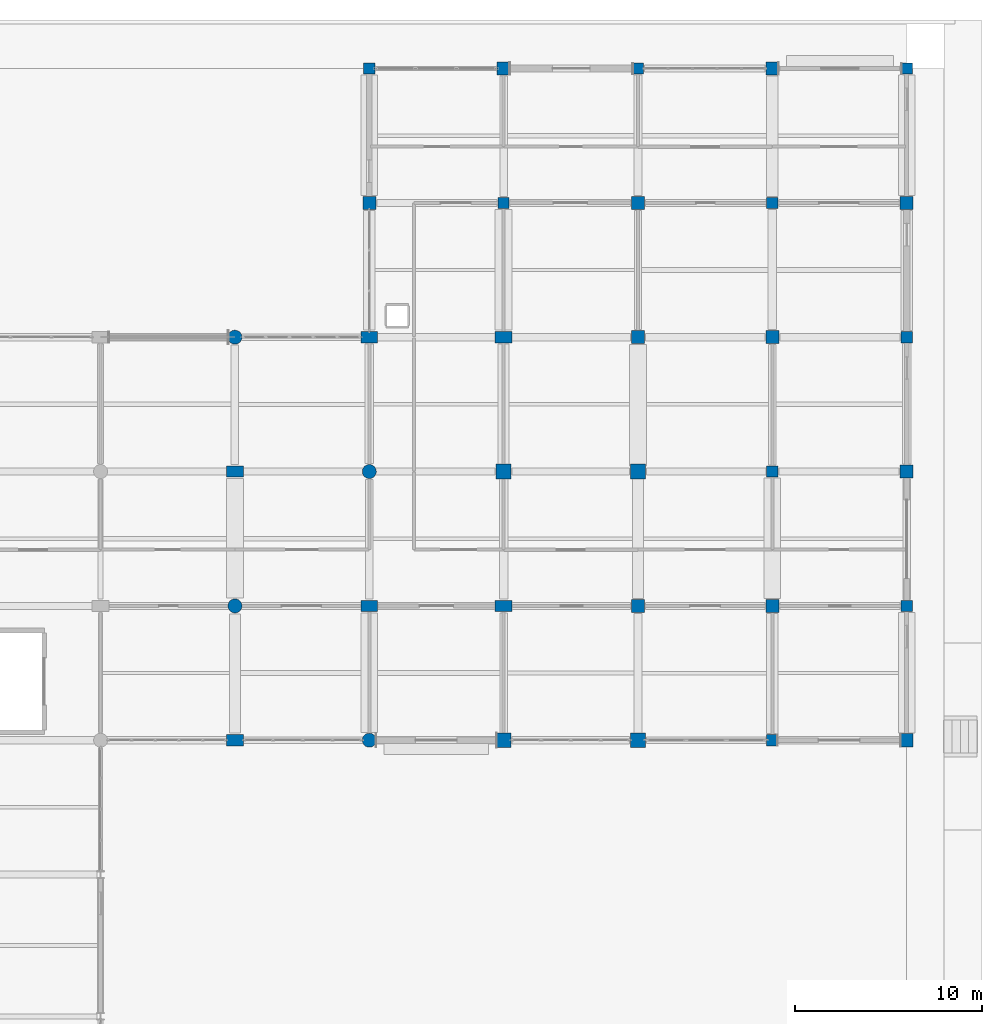
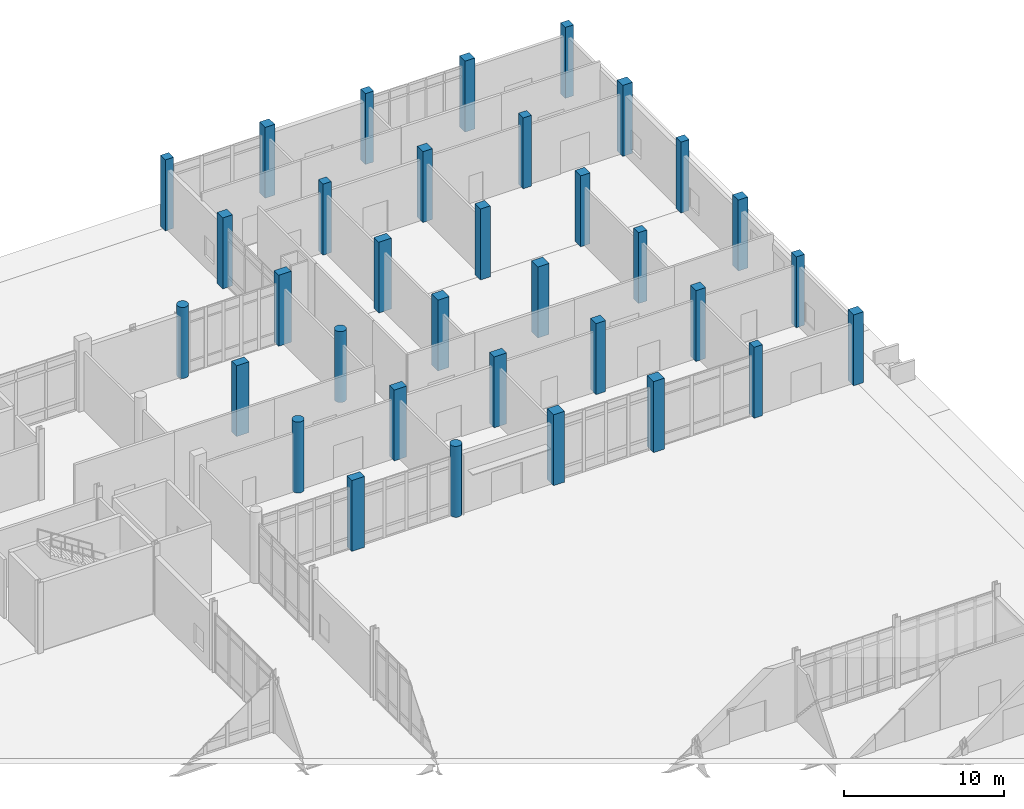
# One storey, part 22 of 229: 34 columns.
"""IFC4 building model written with IfcOpenShell, lengths in metres."""

from ifc_helpers import new_model, si_unit, direction, frame, origin, origin_2d, place, context, subcontext, project, spatial, rectangle, circle, extrude, material, material_profile, profile_set, type_object, element, save


model = new_model("IFC4")

# Units and contexts
model_context = context("Model", 3, precision=1e-05, world=origin(), true_north=direction((0.0, 1.0)))
body_context = subcontext(model_context, "Body", "Model", "MODEL_VIEW")
ifc_project = project(units=[si_unit("LENGTHUNIT", "METRE"), si_unit("AREAUNIT", "SQUARE_METRE"), si_unit("VOLUMEUNIT", "CUBIC_METRE"), si_unit("PLANEANGLEUNIT", "RADIAN"), si_unit("MASSUNIT", "GRAM", prefix="KILO")], contexts=[model_context])

# Site, building, storey
site_placement = place(None, origin())
site = spatial("IfcSite", under=ifc_project, at=site_placement, CompositionType="ELEMENT")
building_placement = place(site_placement, origin())
building = spatial("IfcBuilding", under=site, at=building_placement, Name="Calvrana Isthmian Art Gallery", CompositionType="ELEMENT")
storey_placement = place(building_placement, origin())
storey = spatial("IfcBuildingStorey", under=building, at=storey_placement, Name="L00", CompositionType="ELEMENT", Elevation=0.0)

# Columns
ifc_material = material(Name="Concrete C40/50", Category="concrete")
ifc_material_profile_1 = material_profile(ifc_material, rectangle(XDim=0.60009765625, YDim=0.60009765625, at=origin_2d()), Name="RC600X600")
ifc_profile_set_1 = profile_set([ifc_material_profile_1], Name="Concrete C40/50")
column_type_1 = type_object("IfcColumnType", Name="COL-RC-RC600X600", PredefinedType="COLUMN", material=ifc_profile_set_1)
for number, where, z_axis, x_axis, name in (
    (1, (134.39990234375, 112.800048828125, 0.0), (0.0, 0.0, 1.0), (1.0, 0.0, 0.0), "Column 18/P L00"),
    (2, (141.60009765625, 105.60009765625, 0.0), (0.0, 0.0, 1.0), (1.0, 0.0, 0.0), "Column 19/O L00"),
    (3, (148.800048828125, 112.800048828125, 0.0), (0.0, 0.0, 1.0), (1.0, 0.0, 0.0), "Column 20/P L00"),
    (4, (156.0, 76.800048828125, 0.0), (0.0, 0.0, 1.0), (1.0, 0.0, 0.0), "Column 21/K L00"),
    (5, (156.0, 91.199951171875, 0.0), (0.0, 0.0, 1.0), (1.0, 0.0, 0.0), "Column 21/M L00"),
    (6, (156.0, 105.60009765625, 0.0), (0.0, 0.0, 1.0), (1.0, 0.0, 0.0), "Column 21/O L00"),
    (7, (163.199951171875, 84.0, 0.0), (0.0, 0.0, 1.0), (1.0, 0.0, 0.0), "Column 22/L L00"),
    (8, (163.199951171875, 98.39990234375, 0.0), (0.0, 0.0, 1.0), (1.0, 0.0, 0.0), "Column 22/N L00"),
    (9, (163.199951171875, 112.800048828125, 0.0), (0.0, 0.0, 1.0), (1.0, 0.0, 0.0), "Column 22/P L00"),
):
    element("IfcColumn", number, at=place(storey_placement, frame(where, z_axis=z_axis, x_axis=x_axis)), inside=storey, type_object=column_type_1, Name=name, PredefinedType="COLUMN", context=body_context, shape_type="SweptSolid", body=[
        extrude(rectangle(XDim=0.60009765625, YDim=0.60009765625, at=origin_2d()), origin(), (0.0, 0.0, 1.0), 5.39990234375),
    ])
ifc_material_profile_2 = material_profile(ifc_material, rectangle(XDim=0.699951171875, YDim=0.699951171875, at=origin_2d()), Name="RC700X700")
ifc_profile_set_2 = profile_set([ifc_material_profile_2], Name="Concrete C40/50")
column_type_2 = type_object("IfcColumnType", Name="COL-RC-RC700X700", PredefinedType="COLUMN", material=ifc_profile_set_2)
for number, where, z_axis, x_axis, name in (
    (10, (134.39990234375, 105.60009765625, 0.0), (0.0, 0.0, 1.0), (1.0, 0.0, 0.0), "Column 18/O L00"),
    (11, (141.60009765625, 112.800048828125, 0.0), (0.0, 0.0, 1.0), (1.0, 0.0, 0.0), "Column 19/P L00"),
    (12, (148.800048828125, 84.0, 0.0), (0.0, 0.0, 1.0), (1.0, 0.0, 0.0), "Column 20/L L00"),
    (13, (148.800048828125, 98.39990234375, 0.0), (0.0, 0.0, 1.0), (1.0, 0.0, 0.0), "Column 20/N L00"),
    (14, (148.800048828125, 105.60009765625, 0.0), (0.0, 0.0, 1.0), (1.0, 0.0, 0.0), "Column 20/O L00"),
    (15, (156.0, 84.0, 0.0), (0.0, 0.0, 1.0), (1.0, 0.0, 0.0), "Column 21/L L00"),
    (16, (156.0, 98.39990234375, 0.0), (0.0, 0.0, 1.0), (1.0, 0.0, 0.0), "Column 21/N L00"),
    (17, (156.0, 112.800048828125, 0.0), (0.0, 0.0, 1.0), (1.0, 0.0, 0.0), "Column 21/P L00"),
    (18, (163.199951171875, 76.800048828125, 0.0), (0.0, 0.0, 1.0), (1.0, 0.0, 0.0), "Column 22/K L00"),
    (19, (163.199951171875, 91.199951171875, 0.0), (0.0, 0.0, 1.0), (1.0, 0.0, 0.0), "Column 22/M L00"),
    (20, (163.199951171875, 105.60009765625, 0.0), (0.0, 0.0, 1.0), (1.0, 0.0, 0.0), "Column 22/O L00"),
):
    element("IfcColumn", number, at=place(storey_placement, frame(where, z_axis=z_axis, x_axis=x_axis)), inside=storey, type_object=column_type_2, Name=name, PredefinedType="COLUMN", context=body_context, shape_type="SweptSolid", body=[
        extrude(rectangle(XDim=0.699951171875, YDim=0.699951171875, at=origin_2d()), origin(), (0.0, 0.0, 1.0), 5.39990234375),
    ])
ifc_material_profile_3 = material_profile(ifc_material, circle(Radius=0.375, at=origin_2d()), Name="RC750D")
ifc_profile_set_3 = profile_set([ifc_material_profile_3], Name="Concrete C40/50")
column_type_3 = type_object("IfcColumnType", Name="COL-RC-RC750D", PredefinedType="COLUMN", material=ifc_profile_set_3)
for number, where, z_axis, x_axis, name in (
    (21, (127.199951171875, 84.0, 0.0), (0.0, 0.0, 1.0), (1.0, 0.0, 0.0), "Column 17/L L00"),
    (22, (127.199951171875, 98.39990234375, 0.0), (0.0, 0.0, 1.0), (1.0, 0.0, 0.0), "Column 17/N L00"),
    (23, (134.39990234375, 76.800048828125, 0.0), (0.0, 0.0, 1.0), (1.0, 0.0, 0.0), "Column 18/K L00"),
    (24, (134.39990234375, 91.199951171875, 0.0), (0.0, 0.0, 1.0), (1.0, 0.0, 0.0), "Column 18/M L00"),
):
    element("IfcColumn", number, at=place(storey_placement, frame(where, z_axis=z_axis, x_axis=x_axis)), inside=storey, type_object=column_type_3, Name=name, PredefinedType="COLUMN", context=body_context, shape_type="SweptSolid", body=[
        extrude(circle(Radius=0.375, at=origin_2d()), origin(), (0.0, 0.0, 1.0), 5.39990234375),
    ])
ifc_material_profile_4 = material_profile(ifc_material, rectangle(XDim=0.800048828125, YDim=0.800048828125, at=origin_2d()), Name="RC800X800")
ifc_profile_set_4 = profile_set([ifc_material_profile_4], Name="Concrete C40/50")
column_type_4 = type_object("IfcColumnType", Name="COL-RC-RC800X800", PredefinedType="COLUMN", material=ifc_profile_set_4)
for number, where, z_axis, x_axis, name in (
    (25, (141.60009765625, 76.800048828125, 0.0), (0.0, 0.0, 1.0), (1.0, 0.0, 0.0), "Column 19/K L00"),
    (26, (141.60009765625, 91.199951171875, 0.0), (0.0, 0.0, 1.0), (1.0, 0.0, 0.0), "Column 19/M L00"),
    (27, (148.800048828125, 76.800048828125, 0.0), (0.0, 0.0, 1.0), (1.0, 0.0, 0.0), "Column 20/K L00"),
    (28, (148.800048828125, 91.199951171875, 0.0), (0.0, 0.0, 1.0), (1.0, 0.0, 0.0), "Column 20/M L00"),
):
    element("IfcColumn", number, at=place(storey_placement, frame(where, z_axis=z_axis, x_axis=x_axis)), inside=storey, type_object=column_type_4, Name=name, PredefinedType="COLUMN", context=body_context, shape_type="SweptSolid", body=[
        extrude(rectangle(XDim=0.800048828125, YDim=0.800048828125, at=origin_2d()), origin(), (0.0, 0.0, 1.0), 5.39990234375),
    ])
ifc_material_profile_5 = material_profile(ifc_material, rectangle(XDim=0.89990234375, YDim=0.60009765625, at=origin_2d()), Name="RC900X600")
ifc_profile_set_5 = profile_set([ifc_material_profile_5], Name="Concrete C40/50")
column_type_5 = type_object("IfcColumnType", Name="COL-RC-RC900X600", PredefinedType="COLUMN", material=ifc_profile_set_5)
for number, where, z_axis, x_axis, name in (
    (29, (127.199951171875, 76.800048828125, 0.0), (0.0, 0.0, 1.0), (1.0, 0.0, 0.0), "Column 17/K L00"),
    (30, (127.199951171875, 91.199951171875, 0.0), (0.0, 0.0, 1.0), (1.0, 0.0, 0.0), "Column 17/M L00"),
    (31, (134.39990234375, 84.0, 0.0), (0.0, 0.0, 1.0), (1.0, 0.0, 0.0), "Column 18/L L00"),
    (32, (134.39990234375, 98.39990234375, 0.0), (0.0, 0.0, 1.0), (1.0, 0.0, 0.0), "Column 18/N L00"),
    (33, (141.60009765625, 84.0, 0.0), (0.0, 0.0, 1.0), (1.0, 0.0, 0.0), "Column 19/L L00"),
    (34, (141.60009765625, 98.39990234375, 0.0), (0.0, 0.0, 1.0), (1.0, 0.0, 0.0), "Column 19/N L00"),
):
    element("IfcColumn", number, at=place(storey_placement, frame(where, z_axis=z_axis, x_axis=x_axis)), inside=storey, type_object=column_type_5, Name=name, PredefinedType="COLUMN", context=body_context, shape_type="SweptSolid", body=[
        extrude(rectangle(XDim=0.89990234375, YDim=0.60009765625, at=origin_2d()), origin(), (0.0, 0.0, 1.0), 5.39990234375),
    ])

save(model, "model.ifc")
